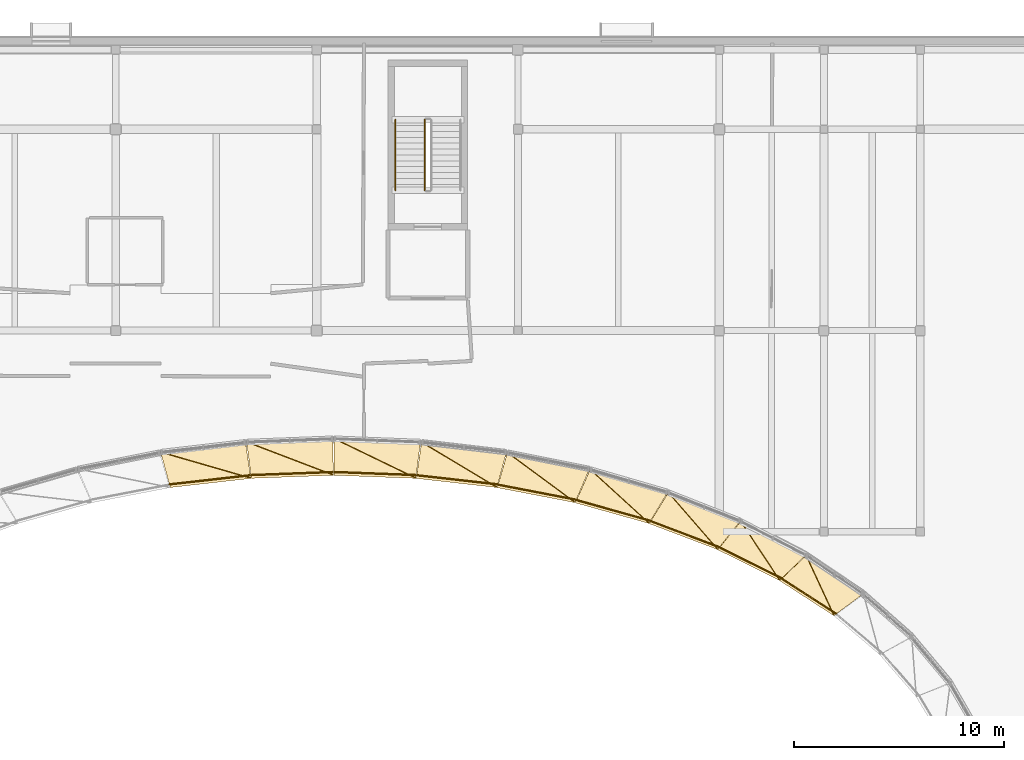
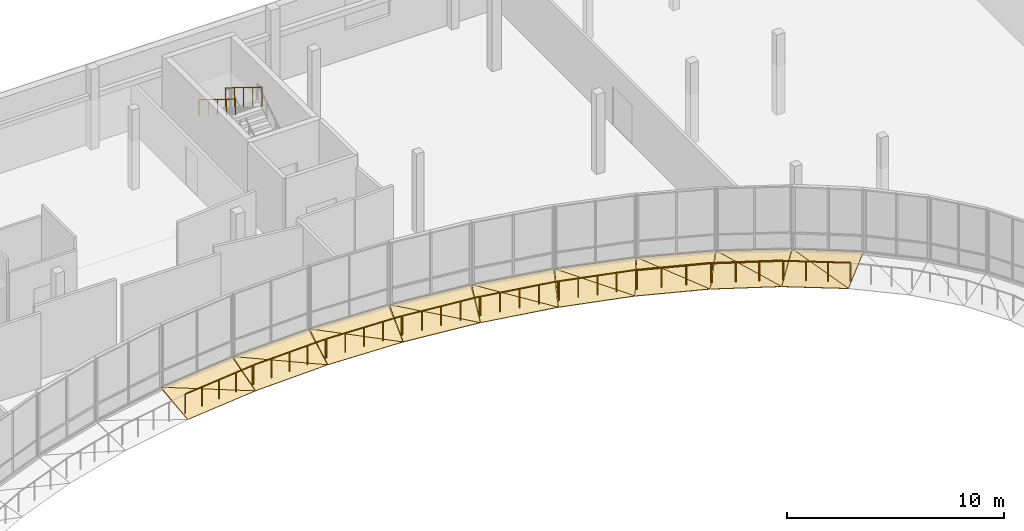
# One storey, part 37 of 41: 18 coverings, 11 railings.
"""IFC4 building model written with IfcOpenShell, lengths in metres."""

import ifcopenshell
import ifcopenshell.guid

model = None  # the IFC model being written
_history = None  # IfcOwnerHistory: only IFC2X3 demands one
_inside = {}  # id of a spatial element -> (the spatial element, [elements in it])
_under = {}  # id of a project, library or spatial element -> (it, [spatial elements below it])
_declared = {}  # id of a project -> (the project, [libraries it declares])
_typed = {}  # id of a type object -> (the type object, [elements of that type])
_made_of = {}  # id of a material, layer set ... -> (it, [elements and type objects made of it])


def new_model(schema):
    """Start an empty IFC model of exactly this schema.

    Asked for "IFC4X3", IfcOpenShell would pick the latest addendum, in which some entities
    have other attributes; the version numbers below select the first issue.
    IFC2X3 requires an IfcOwnerHistory on every rooted entity: one is made here for all.
    """
    global model, _history
    if schema == "IFC4X3":
        model = ifcopenshell.file(schema_version=(4, 3, 0, 0))
    else:
        model = ifcopenshell.file(schema=schema)
    _inside.clear()
    _under.clear()
    _declared.clear()
    _typed.clear()
    _made_of.clear()
    _history = None
    if model.schema == "IFC2X3":
        org = make("IfcOrganization", Name="unknown")
        user = make(
            "IfcPersonAndOrganization",
            ThePerson=make("IfcPerson", FamilyName="unknown"),
            TheOrganization=org,
        )
        app = make(
            "IfcApplication",
            ApplicationDeveloper=org,
            Version="unknown",
            ApplicationFullName="unknown",
            ApplicationIdentifier="unknown",
        )
        _history = make(
            "IfcOwnerHistory",
            OwningUser=user,
            OwningApplication=app,
            ChangeAction="ADDED",
            CreationDate=0,
        )
    return model


def make(cls, **values):
    """One entity of the class cls with the attributes given. An attribute that is None is left unset."""
    return model.create_entity(
        cls, **{name: value for name, value in values.items() if value is not None}
    )


def rooted(cls, **values):
    """An entity with a GlobalId (a new one), such as an element, a storey or a relation."""
    return make(cls, GlobalId=ifcopenshell.guid.new(), OwnerHistory=_history, **values)


def si_unit(unit_type, name, prefix=None):
    """IfcSIUnit, for example si_unit("LENGTHUNIT", "METRE", prefix="MILLI")."""
    return make("IfcSIUnit", UnitType=unit_type, Prefix=prefix, Name=name)


def assignment(units):
    """IfcUnitAssignment: the units of a project."""
    return None if units is None else make("IfcUnitAssignment", Units=units)


def point(xyz):
    """IfcCartesianPoint."""
    return None if xyz is None else make("IfcCartesianPoint", Coordinates=xyz)


def direction(xyz):
    """IfcDirection."""
    return None if xyz is None else make("IfcDirection", DirectionRatios=xyz)


def frame(location, z_axis=None, x_axis=None):
    """IfcAxis2Placement3D, a coordinate frame: its origin and axes. An axis left out is left unset."""
    return make(
        "IfcAxis2Placement3D",
        Location=point(location),
        Axis=direction(z_axis),
        RefDirection=direction(x_axis),
    )


def frame_2d(location, x_axis=None):
    """IfcAxis2Placement2D, a coordinate frame in the plane: its origin and x axis."""
    return make(
        "IfcAxis2Placement2D", Location=point(location), RefDirection=direction(x_axis)
    )


def origin():
    """The frame at (0, 0, 0) with its axes left unset."""
    return frame((0.0, 0.0, 0.0))


def origin_2d():
    """The frame at (0, 0) in the plane with its x axis left unset."""
    return frame_2d((0.0, 0.0))


def place(relative_to, where):
    """IfcLocalPlacement: puts the frame where relative to a parent placement (None: the world)."""
    return make(
        "IfcLocalPlacement", PlacementRelTo=relative_to, RelativePlacement=where
    )


def context(
    kind, dimensions, precision=None, world=None, true_north=None, identifier=None
):
    """IfcGeometricRepresentationContext, for example the 3D "Model" context."""
    return make(
        "IfcGeometricRepresentationContext",
        ContextIdentifier=identifier,
        ContextType=kind,
        CoordinateSpaceDimension=dimensions,
        Precision=precision,
        WorldCoordinateSystem=world,
        TrueNorth=true_north,
    )


def subcontext(parent, identifier, kind, view, scale=None):
    """IfcGeometricRepresentationSubContext, for example "Body" below "Model"."""
    return make(
        "IfcGeometricRepresentationSubContext",
        ContextIdentifier=identifier,
        ContextType=kind,
        ParentContext=parent,
        TargetScale=scale,
        TargetView=view,
    )


def project(units=None, contexts=None):
    """IfcProject with its units and contexts."""
    return rooted(
        "IfcProject",
        Name="project",
        RepresentationContexts=contexts,
        UnitsInContext=assignment(units),
    )


def spatial(cls, under=None, at=None, **own):
    """A site, building, storey or space (cls), placed at a placement, below another one or the project."""
    s = rooted(cls, ObjectPlacement=at, **own)
    if under is not None:
        _under.setdefault(under.id(), (under, []))[1].append(s)
    return s


def polyline(points):
    """IfcPolyline through the points."""
    return make("IfcPolyline", Points=[point(p) for p in points])


def profile(cls, at=None, kind="AREA", **sizes):
    """A parametric profile (cls). Its sizes go by their IFC names, for example OverallWidth=200.0."""
    return make(cls, ProfileType=kind, Position=at, **sizes)


def circle(**sizes):
    """IfcCircleProfileDef."""
    return profile("IfcCircleProfileDef", **sizes)


def outline(outer, holes=None, kind="AREA"):
    """IfcArbitraryClosedProfileDef: a profile drawn as a closed curve; with holes, ...WithVoids."""
    if holes is None:
        return make("IfcArbitraryClosedProfileDef", ProfileType=kind, OuterCurve=outer)
    return make(
        "IfcArbitraryProfileDefWithVoids",
        ProfileType=kind,
        OuterCurve=outer,
        InnerCurves=holes,
    )


def extrude(swept, where, along, depth):
    """IfcExtrudedAreaSolid: the profile swept, set in the frame where, extruded along a direction by depth."""
    return make(
        "IfcExtrudedAreaSolid",
        SweptArea=swept,
        Position=where,
        ExtrudedDirection=direction(along),
        Depth=depth,
    )


def shape(context_of_items, identifier, shape_type, items):
    """IfcShapeRepresentation: the items that make up one representation, for example the "Body"."""
    return make(
        "IfcShapeRepresentation",
        ContextOfItems=context_of_items,
        RepresentationIdentifier=identifier,
        RepresentationType=shape_type,
        Items=items,
    )


def material(Name=None, Category=None):
    """IfcMaterial."""
    return make("IfcMaterial", Name=Name, Category=Category)


def layer(
    of_material, thickness, ventilated=None, Name=None, Category=None, Priority=None
):
    """IfcMaterialLayer: one layer of a wall or slab, of a material (None: an air gap)."""
    return make(
        "IfcMaterialLayer",
        Material=of_material,
        LayerThickness=thickness,
        IsVentilated=ventilated,
        Name=Name,
        Category=Category,
        Priority=Priority,
    )


def layer_set(layers, Name=None):
    """IfcMaterialLayerSet."""
    return make("IfcMaterialLayerSet", MaterialLayers=layers, LayerSetName=Name)


def made_of(thing, what):
    """Note that an element or type object is made of a material, layer set ...; save() writes the relation."""
    if what is not None:
        _made_of.setdefault(what.id(), (what, []))[1].append(thing)
    return thing


def type_object(cls, material=None, **own):
    """A type object (cls), such as IfcWallType, which elements share."""
    return made_of(rooted(cls, **own), material)


def element(
    cls,
    number,
    at=None,
    inside=None,
    cuts=None,
    type_object=None,
    material=None,
    context=None,
    identifier="Body",
    shape_type=None,
    held_by="IfcProductDefinitionShape",
    body=None,
    shapes=None,
    **own,
):
    """One element of the class cls, such as IfcWall. Its Tag is "e" and its number.

    at: its placement. inside: the storey or other place that contains it. cuts: it is an
    opening in that element (IfcRelVoidsElement). A single representation is given by context,
    identifier, shape_type and body (its items); several are given by shapes. held_by: the class
    of the entity that holds the representations. save() writes the other relations.
    """
    e = rooted(cls, Tag="e%d" % number, ObjectPlacement=at, **own)
    if body is not None:
        shapes = [shape(context, identifier, shape_type, body)]
    if shapes is not None:
        e.Representation = make(held_by, Representations=shapes)
    if inside is not None:
        _inside.setdefault(inside.id(), (inside, []))[1].append(e)
    if cuts is not None:
        rooted(
            "IfcRelVoidsElement", RelatingBuildingElement=cuts, RelatedOpeningElement=e
        )
    if type_object is not None:
        _typed.setdefault(type_object.id(), (type_object, []))[1].append(e)
    return made_of(e, material)


def aggregate(whole, parts):
    """IfcRelAggregates: a whole, such as a stair, and the parts it consists of."""
    return rooted("IfcRelAggregates", RelatingObject=whole, RelatedObjects=parts)


def save(model, path):
    """Write the relations noted so far, then the file.

    IfcRelAggregates (storeys below a building ...), IfcRelContainedInSpatialStructure (elements
    in a storey), IfcRelDefinesByType, IfcRelAssociatesMaterial and IfcRelDeclares: one each for
    every whole, place, type object, material and project.
    """
    for whole, parts in _under.values():
        aggregate(whole, parts)
    for where, things in _inside.values():
        rooted(
            "IfcRelContainedInSpatialStructure",
            RelatedElements=things,
            RelatingStructure=where,
        )
    for kind, things in _typed.values():
        rooted("IfcRelDefinesByType", RelatedObjects=things, RelatingType=kind)
    for what, things in _made_of.values():
        rooted("IfcRelAssociatesMaterial", RelatedObjects=things, RelatingMaterial=what)
    for by, libraries in _declared.values():
        rooted("IfcRelDeclares", RelatingContext=by, RelatedDefinitions=libraries)
    model.write(path)


model = new_model("IFC4")

# Units and contexts
model_context = context("Model", 3, precision=1e-05, world=origin(), true_north=direction((0.0, 1.0)))
body_context = subcontext(model_context, "Body", "Model", "MODEL_VIEW")
ifc_project = project(units=[si_unit("LENGTHUNIT", "METRE"), si_unit("AREAUNIT", "SQUARE_METRE"), si_unit("VOLUMEUNIT", "CUBIC_METRE"), si_unit("PLANEANGLEUNIT", "RADIAN"), si_unit("MASSUNIT", "GRAM", prefix="KILO")], contexts=[model_context])

# Site, building, storey
site_placement = place(None, origin())
site = spatial("IfcSite", under=ifc_project, at=site_placement, CompositionType="ELEMENT")
building_placement = place(site_placement, origin())
building = spatial("IfcBuilding", under=site, at=building_placement, Name="Mzevani Central Library", CompositionType="ELEMENT")
storey_placement = place(building_placement, frame((0.0, 0.0, 13.800048828125)))
storey = spatial("IfcBuildingStorey", under=building, at=storey_placement, Name="L03", CompositionType="ELEMENT", Elevation=13.800048828125)

# Railing
ifc_material_1 = material(Name="Brushed stainless steel rail", Category="steel")
railing_type_1 = type_object("IfcRailingType", Name="Interior Gallery and Stair Guard 1100", PredefinedType="BALUSTRADE", material=ifc_material_1)
railing_1_placement = place(storey_placement, frame((88.35009765625, 110.06005859375, 2.423095703125)))
element("IfcRailing", 1, at=railing_1_placement, inside=storey, type_object=railing_type_1, Name="L03 ST-06 stair guard 3", PredefinedType="BALUSTRADE", context=body_context, shape_type="SweptSolid", body=[
    extrude(circle(Radius=0.02392578125, at=origin_2d()), frame((0.0, 0.0, 1.076171875), z_axis=(0.0, -0.850623216509, 0.525775754039), x_axis=(1.0, 0.0, 0.0)), (0.0, 0.0, 1.0), 3.9501953125),
    extrude(circle(Radius=0.02099609375, at=origin_2d()), origin(), (0.0, 0.0, 1.0), 1.052001953125),
    extrude(circle(Radius=0.02099609375, at=origin_2d()), frame((0.0, -0.840087890625, 0.519287109375)), (0.0, 0.0, 1.0), 1.052001953125),
    extrude(circle(Radius=0.02099609375, at=origin_2d()), frame((0.0, -1.68017578125, 1.03857421875)), (0.0, 0.0, 1.0), 1.052001953125),
    extrude(circle(Radius=0.02099609375, at=origin_2d()), frame((0.0, -2.52001953125, 1.5576171875)), (0.0, 0.0, 1.0), 1.052001953125),
    extrude(circle(Radius=0.02099609375, at=origin_2d()), frame((0.0, -3.360107421875, 2.076904296875)), (0.0, 0.0, 1.0), 1.052001953125),
])

# Coverings
ifc_material_2 = material(Name="Limestone ashlar cladding", Category="masonry")
ifc_layer = layer(ifc_material_2, 0.050048828125, Name="Limestone Ashlar Spandrel Cladding")
ifc_layer_set = layer_set([ifc_layer], Name="Limestone ashlar cladding")
covering_type = type_object("IfcCoveringType", Name="Limestone Ashlar Spandrel Cladding", PredefinedType="CLADDING", material=ifc_layer_set)
covering_1_placement = place(storey_placement, frame((107.872314453125, 86.39208984375, -0.280029296875), z_axis=(-0.268834831199, -0.415746613315, 0.868839793662), x_axis=(-0.839733807204, 0.54299828088, 0.0)))
element("IfcCovering", 2, at=covering_1_placement, inside=storey, type_object=covering_type, Name="L03 Curved Court Spandrel Apron 6A", PredefinedType="CLADDING", context=body_context, shape_type="SweptSolid", body=[
    extrude(outline(polyline([(0.0, 0.0), (3.081217311430392, 2.220446049250313e-16), (2.674139354776294, -1.9389494153324638), (0.0, 0.0)])), origin(), (0.0, 0.0, -1.0), 0.06005859375),
])
covering_2_placement = place(storey_placement, frame((107.872314453125, 86.39208984375, -0.280029296875), z_axis=(-0.281887137356, -0.419766306715, 0.862749030448), x_axis=(-0.402896031147, 0.867878407215, 0.290623224082)))
element("IfcCovering", 3, at=covering_2_placement, inside=storey, type_object=covering_type, Name="L03 Curved Court Spandrel Apron 6B", PredefinedType="CLADDING", context=body_context, shape_type="SweptSolid", body=[
    extrude(outline(polyline([(0.0, 0.0), (3.3031115821269914, 2.220446049250313e-16), (0.6164866527769891, -1.887046578051396), (0.0, 0.0)])), origin(), (0.0, 0.0, -1.0), 0.06005859375),
])
covering_3_placement = place(storey_placement, frame((105.280517578125, 88.072998046875, -0.280029296875), z_axis=(-0.219876026853, -0.442130080618, 0.869583535164), x_axis=(-0.89538829801, 0.44528619537, 0.0)))
element("IfcCovering", 4, at=covering_3_placement, inside=storey, type_object=covering_type, Name="L03 Curved Court Spandrel Apron 7A", PredefinedType="CLADDING", context=body_context, shape_type="SweptSolid", body=[
    extrude(outline(polyline([(0.0, 0.0), (3.2951507850640365, 0.0), (2.916792839771798, -1.9440834895978596), (0.0, 0.0)])), origin(), (0.0, 0.0, -1.0), 0.06005859375),
])
covering_4_placement = place(storey_placement, frame((105.280517578125, 88.072998046875, -0.280029296875), z_axis=(-0.231232154527, -0.447658417486, 0.863790270822), x_axis=(-0.530307173647, 0.80235600741, 0.273859706696)))
element("IfcCovering", 5, at=covering_4_placement, inside=storey, type_object=covering_type, Name="L03 Curved Court Spandrel Apron 7B", PredefinedType="CLADDING", context=body_context, shape_type="SweptSolid", body=[
    extrude(outline(polyline([(0.0, 0.0), (3.5053018535742426, 2.220446049250313e-16), (0.5693226636139463, -1.9011471030232687), (0.0, 0.0)])), origin(), (0.0, 0.0, -1.0), 0.06005859375),
])
covering_5_placement = place(storey_placement, frame((102.32373046875, 89.548583984375, -0.280029296875), z_axis=(-0.174107620367, -0.459473585819, 0.870959563048), x_axis=(-0.93511588963, 0.354342028217, 0.0)))
element("IfcCovering", 6, at=covering_5_placement, inside=storey, type_object=covering_type, Name="L03 Curved Court Spandrel Apron 8A", PredefinedType="CLADDING", context=body_context, shape_type="SweptSolid", body=[
    extrude(outline(polyline([(0.0, 0.0), (3.4890812450952597, 0.0), (3.164211003032522, -1.9537025713476974), (0.0, 0.0)])), origin(), (0.0, 0.0, -1.0), 0.06005859375),
])
covering_6_placement = place(storey_placement, frame((102.32373046875, 89.548583984375, -0.280029296875), z_axis=(-0.183229323771, -0.465581081359, 0.86582981676), x_axis=(-0.633532752461, 0.729383303611, 0.258139977479)))
element("IfcCovering", 7, at=covering_6_placement, inside=storey, type_object=covering_type, Name="L03 Curved Court Spandrel Apron 8B", PredefinedType="CLADDING", context=body_context, shape_type="SweptSolid", body=[
    extrude(outline(polyline([(0.0, 0.0), (3.718761219680915, 2.220446049250313e-16), (0.5549369866736704, -1.905505057530858), (0.0, 0.0)])), origin(), (0.0, 0.0, -1.0), 0.06005859375),
])
covering_7_placement = place(storey_placement, frame((99.052490234375, 90.79345703125, -0.280029296875), z_axis=(-0.131522005307, -0.470360016996, 0.872618711999), x_axis=(-0.963059013097, 0.269290432977, 0.0)))
element("IfcCovering", 8, at=covering_7_placement, inside=storey, type_object=covering_type, Name="L03 Curved Court Spandrel Apron 9A", PredefinedType="CLADDING", context=body_context, shape_type="SweptSolid", body=[
    extrude(outline(polyline([(0.0, 0.0), (3.6545333174156096, 1.1102230246251565e-16), (3.402758677857248, -1.9655136484277913), (0.0, 0.0)])), origin(), (0.0, 0.0, -1.0), 0.06005859375),
])
covering_8_placement = place(storey_placement, frame((99.052490234375, 90.79345703125, -0.280029296875), z_axis=(-0.138353538488, -0.476254846611, 0.868354547099), x_axis=(-0.716399216412, 0.653525570847, 0.244287721701)))
element("IfcCovering", 9, at=covering_8_placement, inside=storey, type_object=covering_type, Name="L03 Curved Court Spandrel Apron 9B", PredefinedType="CLADDING", context=body_context, shape_type="SweptSolid", body=[
    extrude(outline(polyline([(0.0, 0.0), (3.929632364724305, -1.1102230246251565e-16), (0.5701335866474537, -1.9014656224093418), (0.0, 0.0)])), origin(), (0.0, 0.0, -1.0), 0.06005859375),
])
covering_9_placement = place(storey_placement, frame((95.521484375, 91.785888671875, -0.280029296875), z_axis=(-0.091817712741, -0.476950712602, 0.874121001564), x_axis=(-0.981969613273, 0.189038828311, 0.0)))
element("IfcCovering", 10, at=covering_9_placement, inside=storey, type_object=covering_type, Name="L03 Curved Court Spandrel Apron 10A", PredefinedType="CLADDING", context=body_context, shape_type="SweptSolid", body=[
    extrude(outline(polyline([(0.0, 0.0), (3.784048164297047, -1.1102230246251565e-16), (3.6216239517819195, -1.9764148488456277), (0.0, 0.0)])), origin(), (0.0, 0.0, -1.0), 0.06005859375),
])
covering_10_placement = place(storey_placement, frame((95.521484375, 91.785888671875, -0.280029296875), z_axis=(-0.096353090149, -0.481825558723, 0.870953622749), x_axis=(-0.782811113487, 0.577122744715, 0.232671653052)))
element("IfcCovering", 11, at=covering_10_placement, inside=storey, type_object=covering_type, Name="L03 Curved Court Spandrel Apron 10B", PredefinedType="CLADDING", context=body_context, shape_type="SweptSolid", body=[
    extrude(outline(polyline([(0.0, 0.0), (4.125818185870286, 5.551115123125783e-17), (0.6101240230342905, -1.890085271603837), (0.0, 0.0)])), origin(), (0.0, 0.0, -1.0), 0.06005859375),
])
covering_11_placement = place(storey_placement, frame((91.791015625, 92.508056640625, -0.280029296875), z_axis=(-0.054265529819, -0.480855431179, 0.875119024236), x_axis=(-0.993692390182, 0.112140241191, 0.0)))
element("IfcCovering", 12, at=covering_11_placement, inside=storey, type_object=covering_type, Name="L03 Curved Court Spandrel Apron 11A", PredefinedType="CLADDING", context=body_context, shape_type="SweptSolid", body=[
    extrude(outline(polyline([(0.0, 0.0), (3.8730625800556404, -5.551115123125783e-17), (3.81223115177477, -1.9837685437549761), (0.0, 0.0)])), origin(), (0.0, 0.0, -1.0), 0.06005859375),
])
covering_12_placement = place(storey_placement, frame((91.791015625, 92.508056640625, -0.280029296875), z_axis=(-0.056699722891, -0.484061130392, 0.873195260791), x_axis=(-0.836186600705, 0.500893896217, 0.223376976287)))
element("IfcCovering", 13, at=covering_12_placement, inside=storey, type_object=covering_type, Name="L03 Curved Court Spandrel Apron 11B", PredefinedType="CLADDING", context=body_context, shape_type="SweptSolid", body=[
    extrude(outline(polyline([(0.0, 0.0), (4.297492756218878, 2.7755575615628914e-16), (0.669778612459124, -1.870755924198113), (0.0, 0.0)])), origin(), (0.0, 0.0, -1.0), 0.06005859375),
])
covering_13_placement = place(storey_placement, frame((87.925048828125, 92.9462890625, -0.280029296875), z_axis=(-0.017950488795, -0.483066929154, 0.875399407076), x_axis=(-0.999310302788, 0.037133795153, 0.0)))
element("IfcCovering", 14, at=covering_13_placement, inside=storey, type_object=covering_type, Name="L03 Curved Court Spandrel Apron 12A", PredefinedType="CLADDING", context=body_context, shape_type="SweptSolid", body=[
    extrude(outline(polyline([(0.0, 0.0), (3.9184740450005444, 2.7755575615628914e-17), (3.9669480544956444, -1.9858508153258037), (0.0, 0.0)])), origin(), (0.0, 0.0, -1.0), 0.06005859375),
])
covering_14_placement = place(storey_placement, frame((87.925048828125, 92.9462890625, -0.280029296875), z_axis=(-0.018689072919, -0.484253371001, 0.874728181338), x_axis=(-0.87904458617, 0.4248009241, 0.216390365794)))
element("IfcCovering", 15, at=covering_14_placement, inside=storey, type_object=covering_type, Name="L03 Curved Court Spandrel Apron 12B", PredefinedType="CLADDING", context=body_context, shape_type="SweptSolid", body=[
    extrude(outline(polyline([(0.0, 0.0), (4.436246197834036, -1.1102230246251565e-16), (0.7429968225225557, -1.8430529408511416), (0.0, 0.0)])), origin(), (0.0, 0.0, -1.0), 0.06005859375),
])
covering_15_placement = place(storey_placement, frame((83.99072265625, 93.091796875, -0.280029296875), z_axis=(0.017997366458, -0.484328457428, 0.874701114739), x_axis=(-0.999310302788, -0.037133795153, 0.0)))
element("IfcCovering", 16, at=covering_15_placement, inside=storey, type_object=covering_type, Name="L03 Curved Court Spandrel Apron 13A", PredefinedType="CLADDING", context=body_context, shape_type="SweptSolid", body=[
    extrude(outline(polyline([(0.0, 0.0), (3.9184740450005444, 0.0), (4.079103990928298, -1.98067827814865), (0.0, 0.0)])), origin(), (0.0, 0.0, -1.0), 0.06005859375),
])
covering_16_placement = place(storey_placement, frame((83.99072265625, 93.091796875, -0.280029296875), z_axis=(0.018642857782, -0.483055888597, 0.875391028253), x_axis=(-0.913127381373, 0.348399014438, 0.211699107521)))
element("IfcCovering", 17, at=covering_16_placement, inside=storey, type_object=covering_type, Name="L03 Curved Court Spandrel Apron 13B", PredefinedType="CLADDING", context=body_context, shape_type="SweptSolid", body=[
    extrude(outline(polyline([(0.0, 0.0), (4.534553540354008, -2.7755575615628914e-16), (0.8238070014122947, -1.8075661024567744), (0.0, 0.0)])), origin(), (0.0, 0.0, -1.0), 0.06005859375),
])
covering_17_placement = place(storey_placement, frame((80.0576171875, 92.9423828125, -0.280029296875), z_axis=(0.054681069926, -0.484537597703, 0.873059732781), x_axis=(-0.993692390182, -0.112140241191, 0.0)))
element("IfcCovering", 18, at=covering_17_placement, inside=storey, type_object=covering_type, Name="L03 Curved Court Spandrel Apron 14A", PredefinedType="CLADDING", context=body_context, shape_type="SweptSolid", body=[
    extrude(outline(polyline([(0.0, 0.0), (3.8730625800556404, 5.551115123125783e-17), (4.142465927325956, -1.9686932097484249), (0.0, 0.0)])), origin(), (0.0, 0.0, -1.0), 0.06005859375),
])
covering_18_placement = place(storey_placement, frame((80.0576171875, 92.9423828125, -0.280029296875), z_axis=(0.056290869426, -0.480570635893, 0.875147531527), x_axis=(-0.939518818784, 0.271103078984, 0.209302436003)))
element("IfcCovering", 19, at=covering_18_placement, inside=storey, type_object=covering_type, Name="L03 Curved Court Spandrel Apron 14B", PredefinedType="CLADDING", context=body_context, shape_type="SweptSolid", body=[
    extrude(outline(polyline([(0.0, 0.0), (4.5864776150294295, -1.6653345369377348e-16), (0.9064447787797854, -1.765614895972872), (0.0, 0.0)])), origin(), (0.0, 0.0, -1.0), 0.06005859375),
])

# Railings
railing_type_2 = type_object("IfcRailingType", Name="Stair Wall Handrail 920", PredefinedType="HANDRAIL", material=ifc_material_1)
railing_2_placement = place(storey_placement, frame((86.949951171875, 110.06005859375, 2.423095703125)))
element("IfcRailing", 20, at=railing_2_placement, inside=storey, type_object=railing_type_2, Name="L03 ST-06 stair handrail 2", PredefinedType="HANDRAIL", context=body_context, shape_type="SweptSolid", body=[
    extrude(circle(Radius=0.02392578125, at=origin_2d()), frame((0.0, 0.0, 0.89599609375), z_axis=(0.0, -0.850623216509, 0.525775754039), x_axis=(1.0, 0.0, 0.0)), (0.0, 0.0, 1.0), 3.9501953125),
    extrude(circle(Radius=0.02099609375, at=origin_2d()), origin(), (0.0, 0.0, 1.0), 0.871826171875),
    extrude(circle(Radius=0.02099609375, at=origin_2d()), frame((0.0, -0.840087890625, 0.519287109375)), (0.0, 0.0, 1.0), 0.871826171875),
    extrude(circle(Radius=0.02099609375, at=origin_2d()), frame((0.0, -1.68017578125, 1.03857421875)), (0.0, 0.0, 1.0), 0.871826171875),
    extrude(circle(Radius=0.02099609375, at=origin_2d()), frame((0.0, -2.52001953125, 1.5576171875)), (0.0, 0.0, 1.0), 0.871826171875),
    extrude(circle(Radius=0.02099609375, at=origin_2d()), frame((0.0, -3.360107421875, 2.076904296875)), (0.0, 0.0, 1.0), 0.871826171875),
])
ifc_material_3 = material(Name="Anodized architectural bronze")
railing_type_3 = type_object("IfcRailingType", Name="Terrace and Court Balustrade 1100", PredefinedType="BALUSTRADE", material=ifc_material_3)
railing_3_placement = place(storey_placement, frame((108.015380859375, 86.46337890625, 0.0)))
element("IfcRailing", 21, at=railing_3_placement, inside=storey, type_object=railing_type_3, Name="L03 Elliptical Court Terrace Guard 6", PredefinedType="BALUSTRADE", context=body_context, shape_type="SweptSolid", body=[
    extrude(circle(Radius=0.02392578125, at=origin_2d()), frame((0.0, 0.0, 1.076171875), z_axis=(-0.839733807204, 0.54299828088, 0.0), x_axis=(-0.54299828088, -0.839733807204, 0.0)), (0.0, 0.0, 1.0), 3.081298828125),
    extrude(circle(Radius=0.02099609375, at=origin_2d()), origin(), (0.0, 0.0, 1.0), 1.052001953125),
    extrude(circle(Radius=0.02099609375, at=origin_2d()), frame((-0.862548828125, 0.5576171875, 0.0)), (0.0, 0.0, 1.0), 1.052001953125),
    extrude(circle(Radius=0.02099609375, at=origin_2d()), frame((-1.724853515625, 1.115478515625, 0.0)), (0.0, 0.0, 1.0), 1.052001953125),
    extrude(circle(Radius=0.02099609375, at=origin_2d()), frame((-2.58740234375, 1.673095703125, 0.0)), (0.0, 0.0, 1.0), 1.052001953125),
])
railing_4_placement = place(storey_placement, frame((105.414794921875, 88.159912109375, 0.0)))
element("IfcRailing", 22, at=railing_4_placement, inside=storey, type_object=railing_type_3, Name="L03 Elliptical Court Terrace Guard 7", PredefinedType="BALUSTRADE", context=body_context, shape_type="SweptSolid", body=[
    extrude(circle(Radius=0.02392578125, at=origin_2d()), frame((0.0, 0.0, 1.076171875), z_axis=(-0.89538829801, 0.44528619537, 0.0), x_axis=(-0.44528619537, -0.89538829801, 0.0)), (0.0, 0.0, 1.0), 3.295166015625),
    extrude(circle(Radius=0.02099609375, at=origin_2d()), origin(), (0.0, 0.0, 1.0), 1.052001953125),
    extrude(circle(Radius=0.02099609375, at=origin_2d()), frame((-0.9833984375, 0.489013671875, 0.0)), (0.0, 0.0, 1.0), 1.052001953125),
    extrude(circle(Radius=0.02099609375, at=origin_2d()), frame((-1.967041015625, 0.978271484375, 0.0)), (0.0, 0.0, 1.0), 1.052001953125),
    extrude(circle(Radius=0.02099609375, at=origin_2d()), frame((-2.950439453125, 1.46728515625, 0.0)), (0.0, 0.0, 1.0), 1.052001953125),
])
railing_5_placement = place(storey_placement, frame((102.44580078125, 89.652099609375, 0.0)))
element("IfcRailing", 23, at=railing_5_placement, inside=storey, type_object=railing_type_3, Name="L03 Elliptical Court Terrace Guard 8", PredefinedType="BALUSTRADE", context=body_context, shape_type="SweptSolid", body=[
    extrude(circle(Radius=0.02392578125, at=origin_2d()), frame((0.0, 0.0, 1.076171875), z_axis=(-0.93511588963, 0.354342028217, 0.0), x_axis=(-0.354342028217, -0.93511588963, 0.0)), (0.0, 0.0, 1.0), 3.489013671875),
    extrude(circle(Radius=0.02099609375, at=origin_2d()), origin(), (0.0, 0.0, 1.0), 1.052001953125),
    extrude(circle(Radius=0.02099609375, at=origin_2d()), frame((-1.087646484375, 0.412109375, 0.0)), (0.0, 0.0, 1.0), 1.052001953125),
    extrude(circle(Radius=0.02099609375, at=origin_2d()), frame((-2.175048828125, 0.82421875, 0.0)), (0.0, 0.0, 1.0), 1.052001953125),
    extrude(circle(Radius=0.02099609375, at=origin_2d()), frame((-3.2626953125, 1.236328125, 0.0)), (0.0, 0.0, 1.0), 1.052001953125),
])
railing_6_placement = place(storey_placement, frame((99.157470703125, 90.914306640625, 0.0)))
element("IfcRailing", 24, at=railing_6_placement, inside=storey, type_object=railing_type_3, Name="L03 Elliptical Court Terrace Guard 9", PredefinedType="BALUSTRADE", context=body_context, shape_type="SweptSolid", body=[
    extrude(circle(Radius=0.02392578125, at=origin_2d()), frame((0.0, 0.0, 1.076171875), z_axis=(-0.963059013097, 0.269290432977, 0.0), x_axis=(-0.269290432977, -0.963059013097, 0.0)), (0.0, 0.0, 1.0), 3.654541015625),
    extrude(circle(Radius=0.02099609375, at=origin_2d()), origin(), (0.0, 0.0, 1.0), 1.052001953125),
    extrude(circle(Radius=0.02099609375, at=origin_2d()), frame((-0.8798828125, 0.24609375, 0.0)), (0.0, 0.0, 1.0), 1.052001953125),
    extrude(circle(Radius=0.02099609375, at=origin_2d()), frame((-1.759765625, 0.4921875, 0.0)), (0.0, 0.0, 1.0), 1.052001953125),
    extrude(circle(Radius=0.02099609375, at=origin_2d()), frame((-2.6396484375, 0.738037109375, 0.0)), (0.0, 0.0, 1.0), 1.052001953125),
    extrude(circle(Radius=0.02099609375, at=origin_2d()), frame((-3.51953125, 0.984130859375, 0.0)), (0.0, 0.0, 1.0), 1.052001953125),
])
railing_7_placement = place(storey_placement, frame((95.603759765625, 91.923095703125, 0.0)))
element("IfcRailing", 25, at=railing_7_placement, inside=storey, type_object=railing_type_3, Name="L03 Elliptical Court Terrace Guard 10", PredefinedType="BALUSTRADE", context=body_context, shape_type="SweptSolid", body=[
    extrude(circle(Radius=0.02392578125, at=origin_2d()), frame((0.0, 0.0, 1.076171875), z_axis=(-0.981959941756, 0.189089060462, 0.0), x_axis=(-0.189089060462, -0.981959941756, 0.0)), (0.0, 0.0, 1.0), 3.784423828125),
    extrude(circle(Radius=0.02099609375, at=origin_2d()), origin(), (0.0, 0.0, 1.0), 1.052001953125),
    extrude(circle(Radius=0.02099609375, at=origin_2d()), frame((-0.928955078125, 0.178955078125, 0.0)), (0.0, 0.0, 1.0), 1.052001953125),
    extrude(circle(Radius=0.02099609375, at=origin_2d()), frame((-1.85791015625, 0.35791015625, 0.0)), (0.0, 0.0, 1.0), 1.052001953125),
    extrude(circle(Radius=0.02099609375, at=origin_2d()), frame((-2.787109375, 0.53662109375, 0.0)), (0.0, 0.0, 1.0), 1.052001953125),
    extrude(circle(Radius=0.02099609375, at=origin_2d()), frame((-3.716064453125, 0.715576171875, 0.0)), (0.0, 0.0, 1.0), 1.052001953125),
])
railing_8_placement = place(storey_placement, frame((91.843994140625, 92.6591796875, 0.0)))
element("IfcRailing", 26, at=railing_8_placement, inside=storey, type_object=railing_type_3, Name="L03 Elliptical Court Terrace Guard 11", PredefinedType="BALUSTRADE", context=body_context, shape_type="SweptSolid", body=[
    extrude(circle(Radius=0.02392578125, at=origin_2d()), frame((0.0, 0.0, 1.076171875), z_axis=(-0.993700204267, 0.112070977684, 0.0), x_axis=(-0.112070977684, -0.993700204267, 0.0)), (0.0, 0.0, 1.0), 3.873291015625),
    extrude(circle(Radius=0.02099609375, at=origin_2d()), origin(), (0.0, 0.0, 1.0), 1.052001953125),
    extrude(circle(Radius=0.02099609375, at=origin_2d()), frame((-0.962158203125, 0.1083984375, 0.0)), (0.0, 0.0, 1.0), 1.052001953125),
    extrude(circle(Radius=0.02099609375, at=origin_2d()), frame((-1.92431640625, 0.217041015625, 0.0)), (0.0, 0.0, 1.0), 1.052001953125),
    extrude(circle(Radius=0.02099609375, at=origin_2d()), frame((-2.88671875, 0.32568359375, 0.0)), (0.0, 0.0, 1.0), 1.052001953125),
    extrude(circle(Radius=0.02099609375, at=origin_2d()), frame((-3.848876953125, 0.43408203125, 0.0)), (0.0, 0.0, 1.0), 1.052001953125),
])
railing_9_placement = place(storey_placement, frame((87.943359375, 93.105224609375, 0.0)))
element("IfcRailing", 27, at=railing_9_placement, inside=storey, type_object=railing_type_3, Name="L03 Elliptical Court Terrace Guard 12", PredefinedType="BALUSTRADE", context=body_context, shape_type="SweptSolid", body=[
    extrude(circle(Radius=0.02392578125, at=origin_2d()), frame((0.0, 0.0, 1.076171875), z_axis=(-0.999310302788, 0.037133795153, 0.0), x_axis=(-0.037133795153, -0.999310302788, 0.0)), (0.0, 0.0, 1.0), 3.91845703125),
    extrude(circle(Radius=0.02099609375, at=origin_2d()), origin(), (0.0, 0.0, 1.0), 1.052001953125),
    extrude(circle(Radius=0.02099609375, at=origin_2d()), frame((-0.97900390625, 0.036376953125, 0.0)), (0.0, 0.0, 1.0), 1.052001953125),
    extrude(circle(Radius=0.02099609375, at=origin_2d()), frame((-1.9580078125, 0.07275390625, 0.0)), (0.0, 0.0, 1.0), 1.052001953125),
    extrude(circle(Radius=0.02099609375, at=origin_2d()), frame((-2.936767578125, 0.109130859375, 0.0)), (0.0, 0.0, 1.0), 1.052001953125),
    extrude(circle(Radius=0.02099609375, at=origin_2d()), frame((-3.915771484375, 0.1455078125, 0.0)), (0.0, 0.0, 1.0), 1.052001953125),
])
railing_10_placement = place(storey_placement, frame((83.972412109375, 93.250732421875, 0.0)))
element("IfcRailing", 28, at=railing_10_placement, inside=storey, type_object=railing_type_3, Name="L03 Elliptical Court Terrace Guard 13", PredefinedType="BALUSTRADE", context=body_context, shape_type="SweptSolid", body=[
    extrude(circle(Radius=0.02392578125, at=origin_2d()), frame((0.0, 0.0, 1.076171875), z_axis=(-0.999310302788, -0.037133795153, 0.0), x_axis=(0.037133795153, -0.999310302788, 0.0)), (0.0, 0.0, 1.0), 3.91845703125),
    extrude(circle(Radius=0.02099609375, at=origin_2d()), origin(), (0.0, 0.0, 1.0), 1.052001953125),
    extrude(circle(Radius=0.02099609375, at=origin_2d()), frame((-0.97900390625, -0.036376953125, 0.0)), (0.0, 0.0, 1.0), 1.052001953125),
    extrude(circle(Radius=0.02099609375, at=origin_2d()), frame((-1.9580078125, -0.07275390625, 0.0)), (0.0, 0.0, 1.0), 1.052001953125),
    extrude(circle(Radius=0.02099609375, at=origin_2d()), frame((-2.936767578125, -0.109130859375, 0.0)), (0.0, 0.0, 1.0), 1.052001953125),
    extrude(circle(Radius=0.02099609375, at=origin_2d()), frame((-3.915771484375, -0.1455078125, 0.0)), (0.0, 0.0, 1.0), 1.052001953125),
])
railing_11_placement = place(storey_placement, frame((80.0048828125, 93.09326171875, 0.0)))
element("IfcRailing", 29, at=railing_11_placement, inside=storey, type_object=railing_type_3, Name="L03 Elliptical Court Terrace Guard 14", PredefinedType="BALUSTRADE", context=body_context, shape_type="SweptSolid", body=[
    extrude(circle(Radius=0.02392578125, at=origin_2d()), frame((0.0, 0.0, 1.076171875), z_axis=(-0.993700204267, -0.112070977684, 0.0), x_axis=(0.112070977684, -0.993700204267, 0.0)), (0.0, 0.0, 1.0), 3.873291015625),
    extrude(circle(Radius=0.02099609375, at=origin_2d()), origin(), (0.0, 0.0, 1.0), 1.052001953125),
    extrude(circle(Radius=0.02099609375, at=origin_2d()), frame((-0.962158203125, -0.1083984375, 0.0)), (0.0, 0.0, 1.0), 1.052001953125),
    extrude(circle(Radius=0.02099609375, at=origin_2d()), frame((-1.92431640625, -0.217041015625, 0.0)), (0.0, 0.0, 1.0), 1.052001953125),
    extrude(circle(Radius=0.02099609375, at=origin_2d()), frame((-2.88671875, -0.32568359375, 0.0)), (0.0, 0.0, 1.0), 1.052001953125),
    extrude(circle(Radius=0.02099609375, at=origin_2d()), frame((-3.848876953125, -0.43408203125, 0.0)), (0.0, 0.0, 1.0), 1.052001953125),
])

save(model, "model.ifc")
